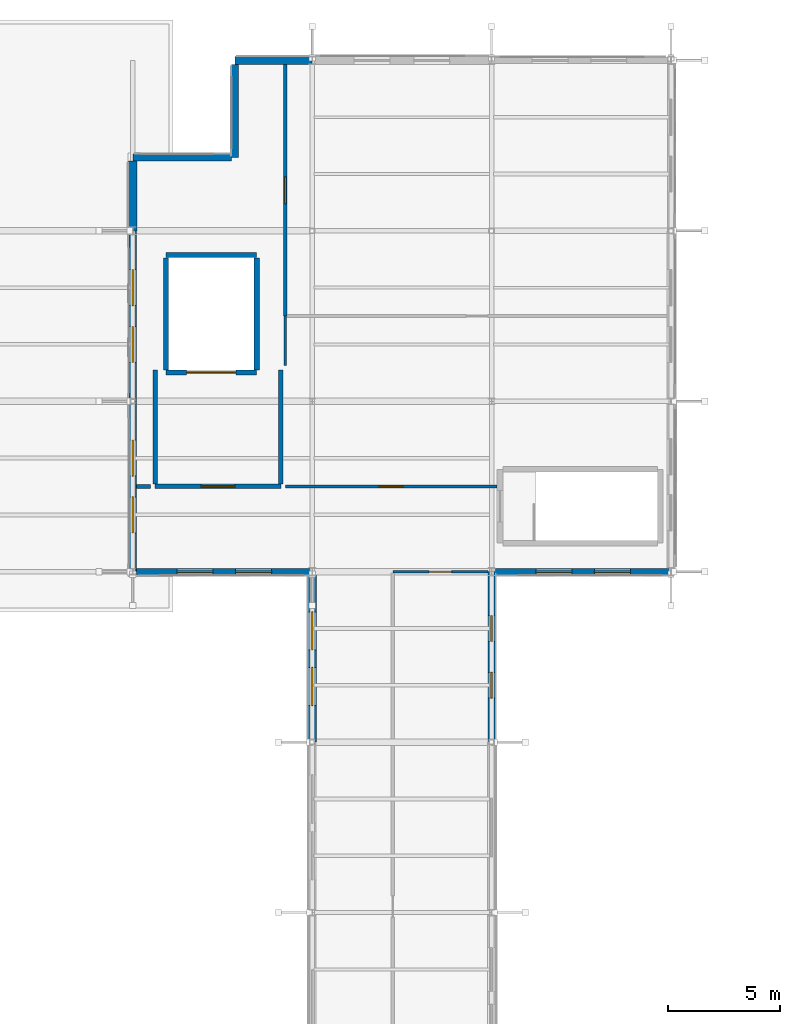
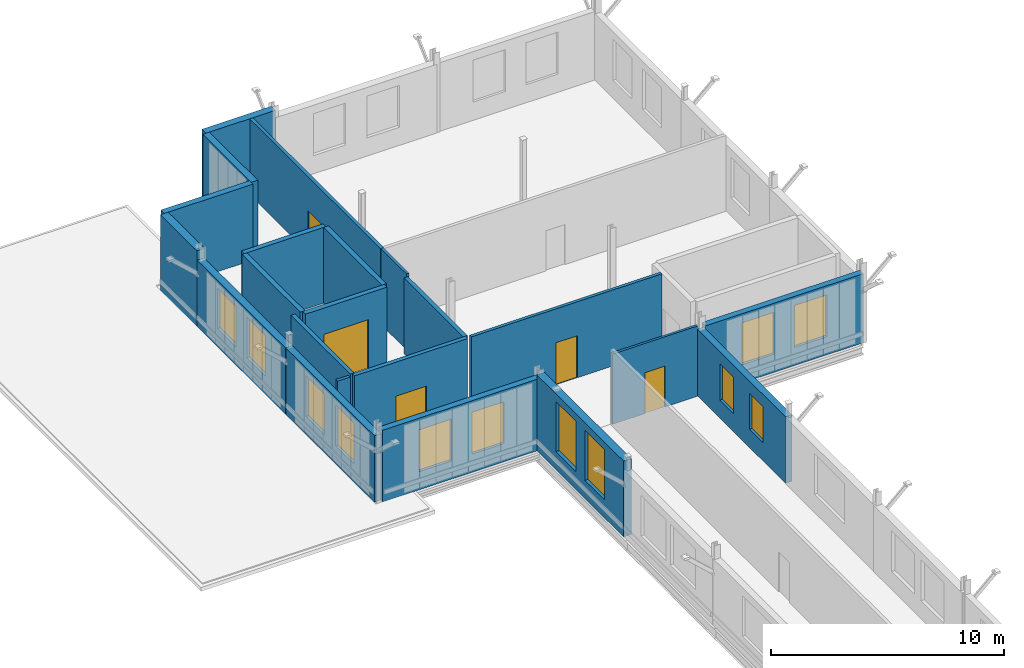
# One storey, part 84 of 101: 22 walls, 12 windows, 5 doors, 17 openings.
"""IFC4 building model written with IfcOpenShell, lengths in metres."""

from ifc_helpers import new_model, si_unit, direction, frame, frame_2d, origin, place, context, subcontext, project, spatial, rectangle, extrude, material, layer, layer_set, type_object, element, fill, save


model = new_model("IFC4")

# Units and contexts
model_context = context("Model", 3, precision=1e-05, world=origin(), true_north=direction((0.0, 1.0)))
body_context = subcontext(model_context, "Body", "Model", "MODEL_VIEW")
ifc_project = project(units=[si_unit("LENGTHUNIT", "METRE"), si_unit("AREAUNIT", "SQUARE_METRE"), si_unit("VOLUMEUNIT", "CUBIC_METRE"), si_unit("PLANEANGLEUNIT", "RADIAN"), si_unit("MASSUNIT", "GRAM", prefix="KILO")], contexts=[model_context])

# Site, building, storey
site_placement = place(None, origin())
site = spatial("IfcSite", under=ifc_project, at=site_placement, CompositionType="ELEMENT")
building_placement = place(site_placement, origin())
building = spatial("IfcBuilding", under=site, at=building_placement, Name="Vekula Escarpment Museum", CompositionType="ELEMENT")
storey_placement = place(building_placement, frame((0.0, 0.0, 18.0)))
storey = spatial("IfcBuildingStorey", under=building, at=storey_placement, Name="L04", CompositionType="ELEMENT", Elevation=18.0)

# Wall, openings, windows
ifc_material_1 = material(Name="Inkisi arkosic sandstone masonry", Category="masonry")
ifc_layer_1 = layer(ifc_material_1, 0.300048828125)
ifc_layer_set_1 = layer_set([ifc_layer_1], Name="Inkisi arkosic sandstone masonry")
wall_type_1 = type_object("IfcWallType", Name="WL-ALM-300", PredefinedType="SOLIDWALL", material=ifc_layer_set_1)
wall_1_placement = place(storey_placement, frame((56.0, 113.199951171875, 0.0), z_axis=(0.0, 0.0, 1.0), x_axis=(-1.0, 0.0, 0.0)))
wall_1 = element("IfcWall", 1, at=wall_1_placement, inside=storey, type_object=wall_type_1, Name="Exterior Wall WL-EXT-L04-0783", PredefinedType="SOLIDWALL", context=body_context, shape_type="SweptSolid", body=[
    extrude(rectangle(XDim=7.8359375, YDim=0.300048828125, at=frame_2d((3.91796875, 0.0))), origin(), (0.0, 0.0, 1.0), 3.625),
])
opening_1_placement = place(wall_1_placement, frame((1.81201171875, 0.0, 0.949951171875)))
opening_1 = element("IfcOpeningElement", 2, at=opening_1_placement, cuts=wall_1, Name="Opening WN-10", PredefinedType="OPENING", context=body_context, shape_type="SweptSolid", body=[
    extrude(rectangle(XDim=1.60009765625, YDim=2.199951171875, at=frame_2d((0.800048828125, 1.10009765625))), frame((0.0, 0.159912109375, 0.0), z_axis=(0.0, -1.0, 0.0), x_axis=(1.0, 0.0, 0.0)), (0.0, 0.0, 1.0), 0.320068359375),
])
opening_2_placement = place(wall_1_placement, frame((4.424072265625, 0.0, 0.949951171875)))
opening_2 = element("IfcOpeningElement", 3, at=opening_2_placement, cuts=wall_1, Name="Opening WN-10", PredefinedType="OPENING", context=body_context, shape_type="SweptSolid", body=[
    extrude(rectangle(XDim=1.60009765625, YDim=2.199951171875, at=frame_2d((0.800048828125, 1.10009765625))), frame((0.0, 0.159912109375, 0.0), z_axis=(0.0, -1.0, 0.0), x_axis=(1.0, 0.0, 0.0)), (0.0, 0.0, 1.0), 0.320068359375),
])
ifc_material_2 = material(Name="Double solar-control low-E glass", Category="glass")
window_type_1 = type_object("IfcWindowType", Name="WN-LAB-16x22", PartitioningType="DOUBLE_PANEL_HORIZONTAL", PredefinedType="WINDOW", material=ifc_material_2)
window_1_placement = place(opening_1_placement, origin())
window_1 = element("IfcWindow", 4, at=window_1_placement, inside=storey, type_object=window_type_1, Name="Window L04-0413", OverallHeight=2.199951171875, OverallWidth=1.60009765625, PartitioningType="SINGLE_PANEL", PredefinedType="WINDOW", context=body_context, shape_type="SweptSolid", body=[
    extrude(rectangle(XDim=1.60009765625, YDim=2.199951171875, at=frame_2d((0.800048828125, 1.10009765625))), frame((0.0, 0.030029296875, 0.0), z_axis=(0.0, -1.0, 0.0), x_axis=(1.0, 0.0, 0.0)), (0.0, 0.0, 1.0), 0.06005859375),
])
fill(opening_1, window_1)
window_2_placement = place(opening_2_placement, origin())
window_2 = element("IfcWindow", 5, at=window_2_placement, inside=storey, type_object=window_type_1, Name="Window L04-0414", OverallHeight=2.199951171875, OverallWidth=1.60009765625, PartitioningType="SINGLE_PANEL", PredefinedType="WINDOW", context=body_context, shape_type="SweptSolid", body=[
    extrude(rectangle(XDim=1.60009765625, YDim=2.199951171875, at=frame_2d((0.800048828125, 1.10009765625))), frame((0.0, 0.030029296875, 0.0), z_axis=(0.0, -1.0, 0.0), x_axis=(1.0, 0.0, 0.0)), (0.0, 0.0, 1.0), 0.06005859375),
])
fill(opening_2, window_2)

# Wall
wall_2_placement = place(storey_placement, frame((32.0, 131.66796875, 0.0), z_axis=(0.0, 0.0, 1.0), x_axis=(1.0, 0.0, 0.0)))
element("IfcWall", 6, at=wall_2_placement, inside=storey, type_object=wall_type_1, Name="Exterior Wall WL-EXT-L04-0791", PredefinedType="SOLIDWALL", context=body_context, shape_type="SweptSolid", body=[
    extrude(rectangle(XDim=4.39599609375, YDim=0.300048828125, at=frame_2d((2.197998046875, 0.0))), origin(), (0.0, 0.0, 1.0), 3.97998046875),
])

# Wall, openings, windows
wall_3_placement = place(storey_placement, frame((40.0, 113.199951171875, 0.0), z_axis=(0.0, 0.0, 1.0), x_axis=(-1.0, 0.0, 0.0)))
wall_3 = element("IfcWall", 7, at=wall_3_placement, inside=storey, type_object=wall_type_1, Name="Exterior Wall WL-EXT-L04-0795", PredefinedType="SOLIDWALL", context=body_context, shape_type="SweptSolid", body=[
    extrude(rectangle(XDim=7.8359375, YDim=0.300048828125, at=frame_2d((3.91796875, 0.0))), origin(), (0.0, 0.0, 1.0), 3.7548828125),
])
opening_3_placement = place(wall_3_placement, frame((1.81201171875, 0.0, 0.949951171875)))
opening_3 = element("IfcOpeningElement", 8, at=opening_3_placement, cuts=wall_3, Name="Opening WN-10", PredefinedType="OPENING", context=body_context, shape_type="SweptSolid", body=[
    extrude(rectangle(XDim=1.60009765625, YDim=2.199951171875, at=frame_2d((0.800048828125, 1.10009765625))), frame((0.0, 0.159912109375, 0.0), z_axis=(0.0, -1.0, 0.0), x_axis=(1.0, 0.0, 0.0)), (0.0, 0.0, 1.0), 0.320068359375),
])
opening_4_placement = place(wall_3_placement, frame((4.424072265625, 0.0, 0.949951171875)))
opening_4 = element("IfcOpeningElement", 9, at=opening_4_placement, cuts=wall_3, Name="Opening WN-10", PredefinedType="OPENING", context=body_context, shape_type="SweptSolid", body=[
    extrude(rectangle(XDim=1.60009765625, YDim=2.199951171875, at=frame_2d((0.800048828125, 1.10009765625))), frame((0.0, 0.159912109375, 0.0), z_axis=(0.0, -1.0, 0.0), x_axis=(1.0, 0.0, 0.0)), (0.0, 0.0, 1.0), 0.320068359375),
])
window_3_placement = place(opening_3_placement, origin())
window_3 = element("IfcWindow", 10, at=window_3_placement, inside=storey, type_object=window_type_1, Name="Window L04-0429", OverallHeight=2.199951171875, OverallWidth=1.60009765625, PartitioningType="SINGLE_PANEL", PredefinedType="WINDOW", context=body_context, shape_type="SweptSolid", body=[
    extrude(rectangle(XDim=1.60009765625, YDim=2.199951171875, at=frame_2d((0.800048828125, 1.10009765625))), frame((0.0, 0.030029296875, 0.0), z_axis=(0.0, -1.0, 0.0), x_axis=(1.0, 0.0, 0.0)), (0.0, 0.0, 1.0), 0.06005859375),
])
fill(opening_3, window_3)
window_4_placement = place(opening_4_placement, origin())
window_4 = element("IfcWindow", 11, at=window_4_placement, inside=storey, type_object=window_type_1, Name="Window L04-0430", OverallHeight=2.199951171875, OverallWidth=1.60009765625, PartitioningType="SINGLE_PANEL", PredefinedType="WINDOW", context=body_context, shape_type="SweptSolid", body=[
    extrude(rectangle(XDim=1.60009765625, YDim=2.199951171875, at=frame_2d((0.800048828125, 1.10009765625))), frame((0.0, 0.030029296875, 0.0), z_axis=(0.0, -1.0, 0.0), x_axis=(1.0, 0.0, 0.0)), (0.0, 0.0, 1.0), 0.06005859375),
])
fill(opening_4, window_4)

ifc_material_3 = material(Name="Inkisi arkosic sandstone masonry", Category="masonry")
ifc_layer_2 = layer(ifc_material_3, 0.320068359375)
ifc_layer_set_2 = layer_set([ifc_layer_2], Name="Inkisi arkosic sandstone masonry")
wall_type_2 = type_object("IfcWallType", Name="WL-ALM-320", PredefinedType="SOLIDWALL", material=ifc_layer_set_2)
wall_4_placement = place(storey_placement, frame((48.0, 113.199951171875, 0.0), z_axis=(0.0, 0.0, 1.0), x_axis=(0.0, -1.0, 0.0)))
wall_4 = element("IfcWall", 12, at=wall_4_placement, inside=storey, type_object=wall_type_2, Name="Exterior Wall WL-EXT-L04-0782", PredefinedType="SOLIDWALL", context=body_context, shape_type="SweptSolid", body=[
    extrude(rectangle(XDim=7.599853515625, YDim=0.320068359375, at=frame_2d((3.7998046875, 0.0))), origin(), (0.0, 0.0, 1.0), 3.485107421875),
])
opening_5_placement = place(wall_4_placement, frame((1.958251953125, 0.0, 0.949951171875)))
opening_5 = element("IfcOpeningElement", 13, at=opening_5_placement, cuts=wall_4, Name="Opening WN-29", PredefinedType="OPENING", context=body_context, shape_type="SweptSolid", body=[
    extrude(rectangle(XDim=1.14990234375, YDim=1.89990234375, at=frame_2d((0.574951171875, 0.949951171875))), frame((0.0, 0.169921875, 0.0), z_axis=(0.0, -1.0, 0.0), x_axis=(1.0, 0.0, 0.0)), (0.0, 0.0, 1.0), 0.340087890625),
])
opening_6_placement = place(wall_4_placement, frame((4.49169921875, 0.0, 0.949951171875)))
opening_6 = element("IfcOpeningElement", 14, at=opening_6_placement, cuts=wall_4, Name="Opening WN-29", PredefinedType="OPENING", context=body_context, shape_type="SweptSolid", body=[
    extrude(rectangle(XDim=1.14990234375, YDim=1.89990234375, at=frame_2d((0.574951171875, 0.949951171875))), frame((0.0, 0.169921875, 0.0), z_axis=(0.0, -1.0, 0.0), x_axis=(1.0, 0.0, 0.0)), (0.0, 0.0, 1.0), 0.340087890625),
])
ifc_material_4 = material(Name="Double solar-control low-E glass", Category="glass")
window_type_2 = type_object("IfcWindowType", Name="WN-GAL-11x19", PartitioningType="SINGLE_PANEL", PredefinedType="WINDOW", material=ifc_material_4)
window_5_placement = place(opening_5_placement, origin())
window_5 = element("IfcWindow", 15, at=window_5_placement, inside=storey, type_object=window_type_2, Name="Window L04-0411", OverallHeight=1.89990234375, OverallWidth=1.14990234375, PartitioningType="SINGLE_PANEL", PredefinedType="WINDOW", context=body_context, shape_type="SweptSolid", body=[
    extrude(rectangle(XDim=1.14990234375, YDim=1.89990234375, at=frame_2d((0.574951171875, 0.949951171875))), frame((0.0, 0.030029296875, 0.0), z_axis=(0.0, -1.0, 0.0), x_axis=(1.0, 0.0, 0.0)), (0.0, 0.0, 1.0), 0.06005859375),
])
fill(opening_5, window_5)
window_6_placement = place(opening_6_placement, origin())
window_6 = element("IfcWindow", 16, at=window_6_placement, inside=storey, type_object=window_type_2, Name="Window L04-0412", OverallHeight=1.89990234375, OverallWidth=1.14990234375, PartitioningType="SINGLE_PANEL", PredefinedType="WINDOW", context=body_context, shape_type="SweptSolid", body=[
    extrude(rectangle(XDim=1.14990234375, YDim=1.89990234375, at=frame_2d((0.574951171875, 0.949951171875))), frame((0.0, 0.030029296875, 0.0), z_axis=(0.0, -1.0, 0.0), x_axis=(1.0, 0.0, 0.0)), (0.0, 0.0, 1.0), 0.06005859375),
])
fill(opening_6, window_6)

# Wall
wall_5_placement = place(storey_placement, frame((36.56005859375, 131.66796875, 0.0), z_axis=(0.0, 0.0, 1.0), x_axis=(0.0, 1.0, 0.0)))
element("IfcWall", 17, at=wall_5_placement, inside=storey, type_object=wall_type_2, Name="Exterior Wall WL-EXT-L04-0790", PredefinedType="SOLIDWALL", context=body_context, shape_type="SweptSolid", body=[
    extrude(rectangle(XDim=4.153076171875, YDim=0.320068359375, at=frame_2d((2.07666015625, 0.0))), origin(), (0.0, 0.0, 1.0), 3.97998046875),
])

# Wall, openings, windows
wall_6_placement = place(storey_placement, frame((32.0, 113.199951171875, 0.0), z_axis=(0.0, 0.0, 1.0), x_axis=(0.0, 1.0, 0.0)))
wall_6 = element("IfcWall", 18, at=wall_6_placement, inside=storey, type_object=wall_type_2, Name="Exterior Wall WL-EXT-L04-0794", PredefinedType="SOLIDWALL", context=body_context, shape_type="SweptSolid", body=[
    extrude(rectangle(XDim=7.60009765625, YDim=0.320068359375, at=frame_2d((3.800048828125, 0.0))), origin(), (0.0, 0.0, 1.0), 3.485107421875),
])
opening_7_placement = place(wall_6_placement, frame((1.7333984375, 0.0, 0.949951171875)))
opening_7 = element("IfcOpeningElement", 19, at=opening_7_placement, cuts=wall_6, Name="Opening WN-10", PredefinedType="OPENING", context=body_context, shape_type="SweptSolid", body=[
    extrude(rectangle(XDim=1.60009765625, YDim=2.1298828125, at=frame_2d((0.800048828125, 1.06494140625))), frame((0.0, 0.169921875, 0.0), z_axis=(0.0, -1.0, 0.0), x_axis=(1.0, 0.0, 0.0)), (0.0, 0.0, 1.0), 0.340087890625),
])
opening_8_placement = place(wall_6_placement, frame((4.2666015625, 0.0, 0.949951171875)))
opening_8 = element("IfcOpeningElement", 20, at=opening_8_placement, cuts=wall_6, Name="Opening WN-10", PredefinedType="OPENING", context=body_context, shape_type="SweptSolid", body=[
    extrude(rectangle(XDim=1.60009765625, YDim=2.1298828125, at=frame_2d((0.800048828125, 1.06494140625))), frame((0.0, 0.169921875, 0.0), z_axis=(0.0, -1.0, 0.0), x_axis=(1.0, 0.0, 0.0)), (0.0, 0.0, 1.0), 0.340087890625),
])
window_7_placement = place(opening_7_placement, origin())
window_7 = element("IfcWindow", 21, at=window_7_placement, inside=storey, type_object=window_type_1, Name="Window L04-0427", OverallHeight=2.1298828125, OverallWidth=1.60009765625, PartitioningType="SINGLE_PANEL", PredefinedType="WINDOW", context=body_context, shape_type="SweptSolid", body=[
    extrude(rectangle(XDim=1.60009765625, YDim=2.1298828125, at=frame_2d((0.800048828125, 1.06494140625))), frame((0.0, 0.030029296875, 0.0), z_axis=(0.0, -1.0, 0.0), x_axis=(1.0, 0.0, 0.0)), (0.0, 0.0, 1.0), 0.06005859375),
])
fill(opening_7, window_7)
window_8_placement = place(opening_8_placement, origin())
window_8 = element("IfcWindow", 22, at=window_8_placement, inside=storey, type_object=window_type_1, Name="Window L04-0428", OverallHeight=2.1298828125, OverallWidth=1.60009765625, PartitioningType="SINGLE_PANEL", PredefinedType="WINDOW", context=body_context, shape_type="SweptSolid", body=[
    extrude(rectangle(XDim=1.60009765625, YDim=2.1298828125, at=frame_2d((0.800048828125, 1.06494140625))), frame((0.0, 0.030029296875, 0.0), z_axis=(0.0, -1.0, 0.0), x_axis=(1.0, 0.0, 0.0)), (0.0, 0.0, 1.0), 0.06005859375),
])
fill(opening_8, window_8)

# Wall
ifc_material_5 = material(Name="Inkisi arkosic sandstone masonry", Category="masonry")
ifc_layer_3 = layer(ifc_material_5, 0.35009765625)
ifc_layer_set_3 = layer_set([ifc_layer_3], Name="Inkisi arkosic sandstone masonry")
wall_type_3 = type_object("IfcWallType", Name="WL-ALM-350", PredefinedType="SOLIDWALL", material=ifc_layer_set_3)
wall_7_placement = place(storey_placement, frame((36.56005859375, 136.0, 0.0), z_axis=(0.0, 0.0, 1.0), x_axis=(1.0, 0.0, 0.0)))
element("IfcWall", 23, at=wall_7_placement, inside=storey, type_object=wall_type_3, Name="Exterior Wall WL-EXT-L04-0789", PredefinedType="SOLIDWALL", context=body_context, shape_type="SweptSolid", body=[
    extrude(rectangle(XDim=3.43994140625, YDim=0.35009765625, at=frame_2d((1.719970703125, 0.0))), origin(), (0.0, 0.0, 1.0), 3.97998046875),
])

# Wall, openings, windows
wall_8_placement = place(storey_placement, frame((32.0, 120.800048828125, 0.0), z_axis=(0.0, 0.0, 1.0), x_axis=(0.0, 1.0, 0.0)))
wall_8 = element("IfcWall", 24, at=wall_8_placement, inside=storey, type_object=wall_type_3, Name="Exterior Wall WL-EXT-L04-0793", PredefinedType="SOLIDWALL", context=body_context, shape_type="SweptSolid", body=[
    extrude(rectangle(XDim=7.599853515625, YDim=0.35009765625, at=frame_2d((3.7998046875, 0.0))), origin(), (0.0, 0.0, 1.0), 3.485107421875),
])
opening_9_placement = place(wall_8_placement, frame((1.7333984375, 0.0, 0.949951171875)))
opening_9 = element("IfcOpeningElement", 25, at=opening_9_placement, cuts=wall_8, Name="Opening WN-10", PredefinedType="OPENING", context=body_context, shape_type="SweptSolid", body=[
    extrude(rectangle(XDim=1.60009765625, YDim=2.1298828125, at=frame_2d((0.800048828125, 1.06494140625))), frame((0.0, 0.18505859375, 0.0), z_axis=(0.0, -1.0, 0.0), x_axis=(1.0, 0.0, 0.0)), (0.0, 0.0, 1.0), 0.3701171875),
])
opening_10_placement = place(wall_8_placement, frame((4.2666015625, 0.0, 0.949951171875)))
opening_10 = element("IfcOpeningElement", 26, at=opening_10_placement, cuts=wall_8, Name="Opening WN-10", PredefinedType="OPENING", context=body_context, shape_type="SweptSolid", body=[
    extrude(rectangle(XDim=1.60009765625, YDim=2.1298828125, at=frame_2d((0.800048828125, 1.06494140625))), frame((0.0, 0.18505859375, 0.0), z_axis=(0.0, -1.0, 0.0), x_axis=(1.0, 0.0, 0.0)), (0.0, 0.0, 1.0), 0.3701171875),
])
window_9_placement = place(opening_9_placement, origin())
window_9 = element("IfcWindow", 27, at=window_9_placement, inside=storey, type_object=window_type_1, Name="Window L04-0425", OverallHeight=2.1298828125, OverallWidth=1.60009765625, PartitioningType="SINGLE_PANEL", PredefinedType="WINDOW", context=body_context, shape_type="SweptSolid", body=[
    extrude(rectangle(XDim=1.60009765625, YDim=2.1298828125, at=frame_2d((0.800048828125, 1.06494140625))), frame((0.0, 0.030029296875, 0.0), z_axis=(0.0, -1.0, 0.0), x_axis=(1.0, 0.0, 0.0)), (0.0, 0.0, 1.0), 0.06005859375),
])
fill(opening_9, window_9)
window_10_placement = place(opening_10_placement, origin())
window_10 = element("IfcWindow", 28, at=window_10_placement, inside=storey, type_object=window_type_1, Name="Window L04-0426", OverallHeight=2.1298828125, OverallWidth=1.60009765625, PartitioningType="SINGLE_PANEL", PredefinedType="WINDOW", context=body_context, shape_type="SweptSolid", body=[
    extrude(rectangle(XDim=1.60009765625, YDim=2.1298828125, at=frame_2d((0.800048828125, 1.06494140625))), frame((0.0, 0.030029296875, 0.0), z_axis=(0.0, -1.0, 0.0), x_axis=(1.0, 0.0, 0.0)), (0.0, 0.0, 1.0), 0.06005859375),
])
fill(opening_10, window_10)

# Wall
ifc_material_6 = material(Name="Inkisi arkosic sandstone masonry", Category="masonry")
ifc_layer_4 = layer(ifc_material_6, 0.3798828125)
ifc_layer_set_4 = layer_set([ifc_layer_4], Name="Inkisi arkosic sandstone masonry")
wall_type_4 = type_object("IfcWallType", Name="WL-ALM-380", PredefinedType="SOLIDWALL", material=ifc_layer_set_4)
wall_9_placement = place(storey_placement, frame((32.0, 128.39990234375, 0.0), z_axis=(0.0, 0.0, 1.0), x_axis=(0.0, 1.0, 0.0)))
element("IfcWall", 29, at=wall_9_placement, inside=storey, type_object=wall_type_4, Name="Exterior Wall WL-EXT-L04-0792", PredefinedType="SOLIDWALL", context=body_context, shape_type="SweptSolid", body=[
    extrude(rectangle(XDim=3.114013671875, YDim=0.3798828125, at=frame_2d((1.55712890625, 0.0))), origin(), (0.0, 0.0, 1.0), 3.97998046875),
])

# Wall, openings, windows
wall_10_placement = place(storey_placement, frame((40.0, 105.60009765625, 0.0), z_axis=(0.0, 0.0, 1.0), x_axis=(0.0, 1.0, 0.0)))
wall_10 = element("IfcWall", 30, at=wall_10_placement, inside=storey, type_object=wall_type_4, Name="Exterior Wall WL-EXT-L04-0796", PredefinedType="SOLIDWALL", context=body_context, shape_type="SweptSolid", body=[
    extrude(rectangle(XDim=7.44580078125, YDim=0.3798828125, at=frame_2d((3.722900390625, 0.0))), origin(), (0.0, 0.0, 1.0), 3.97998046875),
])
opening_11_placement = place(wall_10_placement, frame((1.632080078125, 0.0, 0.949951171875)))
opening_11 = element("IfcOpeningElement", 31, at=opening_11_placement, cuts=wall_10, Name="Opening WN-19", PredefinedType="OPENING", context=body_context, shape_type="SweptSolid", body=[
    extrude(rectangle(XDim=1.699951171875, YDim=2.6298828125, at=frame_2d((0.85009765625, 1.31494140625))), frame((0.0, 0.199951171875, 0.0), z_axis=(0.0, -1.0, 0.0), x_axis=(1.0, 0.0, 0.0)), (0.0, 0.0, 1.0), 0.39990234375),
])
opening_12_placement = place(wall_10_placement, frame((4.114013671875, 0.0, 0.949951171875)))
opening_12 = element("IfcOpeningElement", 32, at=opening_12_placement, cuts=wall_10, Name="Opening WN-19", PredefinedType="OPENING", context=body_context, shape_type="SweptSolid", body=[
    extrude(rectangle(XDim=1.699951171875, YDim=2.6298828125, at=frame_2d((0.85009765625, 1.31494140625))), frame((0.0, 0.199951171875, 0.0), z_axis=(0.0, -1.0, 0.0), x_axis=(1.0, 0.0, 0.0)), (0.0, 0.0, 1.0), 0.39990234375),
])
ifc_material_7 = material(Name="Double solar-control low-E glass", Category="glass")
window_type_3 = type_object("IfcWindowType", Name="WN-GAL-17x27", PartitioningType="DOUBLE_PANEL_VERTICAL", PredefinedType="WINDOW", material=ifc_material_7)
window_11_placement = place(opening_11_placement, origin())
window_11 = element("IfcWindow", 33, at=window_11_placement, inside=storey, type_object=window_type_3, Name="Window L04-0431", OverallHeight=2.6298828125, OverallWidth=1.699951171875, PartitioningType="SINGLE_PANEL", PredefinedType="WINDOW", context=body_context, shape_type="SweptSolid", body=[
    extrude(rectangle(XDim=1.699951171875, YDim=2.6298828125, at=frame_2d((0.85009765625, 1.31494140625))), frame((0.0, 0.030029296875, 0.0), z_axis=(0.0, -1.0, 0.0), x_axis=(1.0, 0.0, 0.0)), (0.0, 0.0, 1.0), 0.06005859375),
])
fill(opening_11, window_11)
window_12_placement = place(opening_12_placement, origin())
window_12 = element("IfcWindow", 34, at=window_12_placement, inside=storey, type_object=window_type_3, Name="Window L04-0432", OverallHeight=2.6298828125, OverallWidth=1.699951171875, PartitioningType="SINGLE_PANEL", PredefinedType="WINDOW", context=body_context, shape_type="SweptSolid", body=[
    extrude(rectangle(XDim=1.699951171875, YDim=2.6298828125, at=frame_2d((0.85009765625, 1.31494140625))), frame((0.0, 0.030029296875, 0.0), z_axis=(0.0, -1.0, 0.0), x_axis=(1.0, 0.0, 0.0)), (0.0, 0.0, 1.0), 0.06005859375),
])
fill(opening_12, window_12)

# Wall, opening, door
ifc_material_8 = material(Name="Concrete C35/45", Category="concrete")
ifc_layer_5 = layer(ifc_material_8, 0.199951171875)
ifc_layer_set_5 = layer_set([ifc_layer_5], Name="Concrete C35/45")
wall_type_5 = type_object("IfcWallType", Name="WL-FFL-200", PredefinedType="PARTITIONING", material=ifc_layer_set_5)
wall_11_placement = place(storey_placement, frame((33.0, 117.0, 0.0), z_axis=(0.0, 0.0, 1.0), x_axis=(1.0, 0.0, 0.0)))
wall_11 = element("IfcWall", 35, at=wall_11_placement, inside=storey, type_object=wall_type_5, Name="Lift Lobby Wall GL-01 L04 S", PredefinedType="PARTITIONING", context=body_context, shape_type="SweptSolid", body=[
    extrude(rectangle(XDim=5.60009765625, YDim=0.199951171875, at=frame_2d((2.800048828125, 0.0))), origin(), (0.0, 0.0, 1.0), 3.97998046875),
])
opening_13_placement = place(wall_11_placement, frame((2.050048828125, 0.0, 0.0)))
opening_13 = element("IfcOpeningElement", 36, at=opening_13_placement, cuts=wall_11, Name="Opening DR-FD60L", PredefinedType="OPENING", context=body_context, shape_type="SweptSolid", body=[
    extrude(rectangle(XDim=1.5, YDim=2.199951171875, at=frame_2d((0.75, 1.10009765625))), frame((0.0, 0.10986328125, 0.0), z_axis=(0.0, -1.0, 0.0), x_axis=(1.0, 0.0, 0.0)), (0.0, 0.0, 1.0), 0.219970703125),
])
ifc_material_9 = material(Name="Fire-rated glazed lobby door", Category="steel")
door_type_1 = type_object("IfcDoorType", Name="DR-FFLOB-1500x2200", OperationType="NOTDEFINED", PredefinedType="DOOR", material=ifc_material_9)
door_1_placement = place(opening_13_placement, origin())
door_1 = element("IfcDoor", 37, at=door_1_placement, inside=storey, type_object=door_type_1, Name="Lift Lobby Fire Door GL-01 L04", OperationType="SINGLE_SWING_RIGHT", OverallHeight=2.199951171875, OverallWidth=1.5, PredefinedType="DOOR", context=body_context, shape_type="SweptSolid", body=[
    extrude(rectangle(XDim=1.5, YDim=2.199951171875, at=frame_2d((0.75, 1.10009765625))), frame((0.0, 0.02490234375, 0.0), z_axis=(0.0, -1.0, 0.0), x_axis=(1.0, 0.0, 0.0)), (0.0, 0.0, 1.0), 0.050048828125),
])
fill(opening_13, door_1)

# Walls
for number, where, z_axis, x_axis, name in (
    (38, (33.0, 117.10400390625, 0.0), (0.0, 0.0, 1.0), (0.0, 1.0, 0.0), "Lift Lobby Wall GL-01 L04 W"),
    (39, (38.60009765625, 117.10400390625, 0.0), (0.0, 0.0, 1.0), (0.0, 1.0, 0.0), "Lift Lobby Wall GL-01 L04 E"),
):
    element("IfcWall", number, at=place(storey_placement, frame(where, z_axis=z_axis, x_axis=x_axis)), inside=storey, type_object=wall_type_5, Name=name, PredefinedType="PARTITIONING", context=body_context, shape_type="SweptSolid", body=[
        extrude(rectangle(XDim=5.095947265625, YDim=0.199951171875, at=frame_2d((2.5478515625, 0.0))), origin(), (0.0, 0.0, 1.0), 3.97998046875),
    ])
ifc_material_10 = material(Name="Lightweight studio partition", Category="gypsum")
ifc_layer_6 = layer(ifc_material_10, 0.1201171875)
ifc_layer_set_6 = layer_set([ifc_layer_6], Name="Lightweight studio partition")
wall_type_6 = type_object("IfcWallType", Name="WL-PART-120", PredefinedType="PARTITIONING", material=ifc_layer_set_6)
wall_12_placement = place(storey_placement, frame((38.800048828125, 122.39990234375, 0.0), z_axis=(0.0, 0.0, 1.0), x_axis=(0.0, 1.0, 0.0)))
element("IfcWall", 40, at=wall_12_placement, inside=storey, type_object=wall_type_6, Name="Interior Partition WL-INT-L04-0003", PredefinedType="PARTITIONING", context=body_context, shape_type="SweptSolid", body=[
    extrude(rectangle(XDim=2.2001953125, YDim=0.1201171875, at=frame_2d((1.10009765625, 0.0))), origin(), (0.0, 0.0, 1.0), 3.97998046875),
])

# Wall, opening, door
wall_13_placement = place(storey_placement, frame((43.60009765625, 113.199951171875, 0.0), z_axis=(0.0, 0.0, 1.0), x_axis=(1.0, 0.0, 0.0)))
wall_13 = element("IfcWall", 41, at=wall_13_placement, inside=storey, type_object=wall_type_6, Name="Interior Partition WL-INT-L04-0006", PredefinedType="PARTITIONING", context=body_context, shape_type="SweptSolid", body=[
    extrude(rectangle(XDim=4.23583984375, YDim=0.1201171875, at=frame_2d((2.117919921875, 0.0))), origin(), (0.0, 0.0, 1.0), 3.68505859375),
])
opening_14_placement = place(wall_13_placement, frame((1.617919921875, 0.0, 0.0)))
opening_14 = element("IfcOpeningElement", 42, at=opening_14_placement, cuts=wall_13, Name="Opening DR-OF10", PredefinedType="OPENING", context=body_context, shape_type="SweptSolid", body=[
    extrude(rectangle(XDim=1.0, YDim=2.14990234375, at=frame_2d((0.5, 1.074951171875))), frame((0.0, 0.070068359375, 0.0), z_axis=(0.0, -1.0, 0.0), x_axis=(1.0, 0.0, 0.0)), (0.0, 0.0, 1.0), 0.14013671875),
])
ifc_material_11 = material(Name="Solid core timber study door", Category="wood")
door_type_2 = type_object("IfcDoorType", Name="DR-OFF-1000x2150", OperationType="NOTDEFINED", PredefinedType="DOOR", material=ifc_material_11)
door_2_placement = place(opening_14_placement, origin())
door_2 = element("IfcDoor", 43, at=door_2_placement, inside=storey, type_object=door_type_2, Name="Interior Door L04-004", OperationType="SINGLE_SWING_RIGHT", OverallHeight=2.14990234375, OverallWidth=1.0, PredefinedType="DOOR", context=body_context, shape_type="SweptSolid", body=[
    extrude(rectangle(XDim=1.0, YDim=2.14990234375, at=frame_2d((0.5, 1.074951171875))), frame((0.0, 0.02490234375, 0.0), z_axis=(0.0, -1.0, 0.0), x_axis=(1.0, 0.0, 0.0)), (0.0, 0.0, 1.0), 0.050048828125),
])
fill(opening_14, door_2)

ifc_material_12 = material(Name="Gypsum board dry-lined partition", Category="gypsum")
ifc_layer_7 = layer(ifc_material_12, 0.14990234375)
ifc_layer_set_7 = layer_set([ifc_layer_7], Name="Gypsum board dry-lined partition")
wall_type_7 = type_object("IfcWallType", Name="WL-PART-150", PredefinedType="PARTITIONING", material=ifc_layer_set_7)
wall_14_placement = place(storey_placement, frame((38.800048828125, 117.0, 0.0), z_axis=(0.0, 0.0, 1.0), x_axis=(1.0, 0.0, 0.0)))
wall_14 = element("IfcWall", 44, at=wall_14_placement, inside=storey, type_object=wall_type_7, Name="Interior Partition WL-INT-L04-0005", PredefinedType="PARTITIONING", context=body_context, shape_type="SweptSolid", body=[
    extrude(rectangle(XDim=9.446044921875, YDim=0.14990234375, at=frame_2d((4.72314453125, 0.0))), origin(), (0.0, 0.0, 1.0), 3.97998046875),
])
opening_15_placement = place(wall_14_placement, frame((4.197998046875, 0.0, 0.0)))
opening_15 = element("IfcOpeningElement", 45, at=opening_15_placement, cuts=wall_14, Name="Opening DR-CR10", PredefinedType="OPENING", context=body_context, shape_type="SweptSolid", body=[
    extrude(rectangle(XDim=1.050048828125, YDim=2.199951171875, at=frame_2d((0.52490234375, 1.10009765625))), frame((0.0, 0.0849609375, 0.0), z_axis=(0.0, -1.0, 0.0), x_axis=(1.0, 0.0, 0.0)), (0.0, 0.0, 1.0), 0.169921875),
])
ifc_material_13 = material(Name="Solid hardwood curatorial door", Category="wood")
door_type_3 = type_object("IfcDoorType", Name="DR-CUR-1050x2200", OperationType="NOTDEFINED", PredefinedType="DOOR", material=ifc_material_13)
door_3_placement = place(opening_15_placement, origin())
door_3 = element("IfcDoor", 46, at=door_3_placement, inside=storey, type_object=door_type_3, Name="Interior Door L04-003", OperationType="SINGLE_SWING_LEFT", OverallHeight=2.199951171875, OverallWidth=1.050048828125, PredefinedType="DOOR", context=body_context, shape_type="SweptSolid", body=[
    extrude(rectangle(XDim=1.050048828125, YDim=2.199951171875, at=frame_2d((0.52490234375, 1.10009765625))), frame((0.0, 0.02490234375, 0.0), z_axis=(0.0, -1.0, 0.0), x_axis=(1.0, 0.0, 0.0)), (0.0, 0.0, 1.0), 0.050048828125),
])
fill(opening_15, door_3)

ifc_material_14 = material(Name="Gypsum board gallery partition", Category="gypsum")
ifc_layer_8 = layer(ifc_material_14, 0.159912109375)
ifc_layer_set_8 = layer_set([ifc_layer_8], Name="Gypsum board gallery partition")
wall_type_8 = type_object("IfcWallType", Name="WL-PART-160", PredefinedType="PARTITIONING", material=ifc_layer_set_8)
wall_15_placement = place(storey_placement, frame((38.800048828125, 124.60009765625, 0.0), z_axis=(0.0, 0.0, 1.0), x_axis=(0.0, 1.0, 0.0)))
wall_15 = element("IfcWall", 47, at=wall_15_placement, inside=storey, type_object=wall_type_8, Name="Interior Partition WL-INT-L04-0001", PredefinedType="PARTITIONING", context=body_context, shape_type="SweptSolid", body=[
    extrude(rectangle(XDim=11.220947265625, YDim=0.159912109375, at=frame_2d((5.6103515625, 0.0))), origin(), (0.0, 0.0, 1.0), 3.97998046875),
])
opening_16_placement = place(wall_15_placement, frame((5.010498046875, 0.0, 0.0)))
opening_16 = element("IfcOpeningElement", 48, at=opening_16_placement, cuts=wall_15, Name="Opening DR-LB12", PredefinedType="OPENING", context=body_context, shape_type="SweptSolid", body=[
    extrude(rectangle(XDim=1.199951171875, YDim=2.199951171875, at=frame_2d((0.60009765625, 1.10009765625))), frame((0.0, 0.08984375, 0.0), z_axis=(0.0, -1.0, 0.0), x_axis=(1.0, 0.0, 0.0)), (0.0, 0.0, 1.0), 0.179931640625),
])
ifc_material_15 = material(Name="Sealed conservation laboratory door", Category="steel")
door_type_4 = type_object("IfcDoorType", Name="DR-LAB-1200x2200", OperationType="NOTDEFINED", PredefinedType="DOOR", material=ifc_material_15)
door_4_placement = place(opening_16_placement, origin())
door_4 = element("IfcDoor", 49, at=door_4_placement, inside=storey, type_object=door_type_4, Name="Interior Door L04-001", OperationType="SINGLE_SWING_LEFT", OverallHeight=2.199951171875, OverallWidth=1.199951171875, PredefinedType="DOOR", context=body_context, shape_type="SweptSolid", body=[
    extrude(rectangle(XDim=1.199951171875, YDim=2.199951171875, at=frame_2d((0.60009765625, 1.10009765625))), frame((0.0, 0.02490234375, 0.0), z_axis=(0.0, -1.0, 0.0), x_axis=(1.0, 0.0, 0.0)), (0.0, 0.0, 1.0), 0.050048828125),
])
fill(opening_16, door_4)

# Wall
wall_16_placement = place(storey_placement, frame((32.1640625, 117.0, 0.0), z_axis=(0.0, 0.0, 1.0), x_axis=(1.0, 0.0, 0.0)))
element("IfcWall", 50, at=wall_16_placement, inside=storey, type_object=wall_type_8, Name="Interior Partition WL-INT-L04-0004", PredefinedType="PARTITIONING", context=body_context, shape_type="SweptSolid", body=[
    extrude(rectangle(XDim=0.635986328125, YDim=0.159912109375, at=frame_2d((0.31787109375, 0.0))), origin(), (0.0, 0.0, 1.0), 3.97998046875),
])

# Wall, opening, door
ifc_material_16 = material(Name="Concrete C35/45", Category="concrete")
ifc_layer_9 = layer(ifc_material_16, 0.239990234375)
ifc_layer_set_9 = layer_set([ifc_layer_9], Name="Concrete C35/45")
wall_type_9 = type_object("IfcWallType", Name="WL-SHF-240", PredefinedType="SHEAR", material=ifc_layer_set_9)
wall_17_placement = place(storey_placement, frame((33.47998046875, 122.080078125, 0.0), z_axis=(0.0, 0.0, 1.0), x_axis=(1.0, 0.0, 0.0)))
wall_17 = element("IfcWall", 51, at=wall_17_placement, inside=storey, type_object=wall_type_9, Name="Lift Shaft Wall GL-01 L04 S", PredefinedType="SHEAR", context=body_context, shape_type="SweptSolid", body=[
    extrude(rectangle(XDim=4.0400390625, YDim=0.239990234375, at=frame_2d((2.02001953125, 0.0))), origin(), (0.0, 0.0, 1.0), 3.97998046875),
])
opening_17_placement = place(wall_17_placement, frame((0.919921875, 0.0, 0.0)))
opening_17 = element("IfcOpeningElement", 52, at=opening_17_placement, cuts=wall_17, Name="Opening LD-GDS", PredefinedType="OPENING", context=body_context, shape_type="SweptSolid", body=[
    extrude(rectangle(XDim=2.199951171875, YDim=2.60009765625, at=frame_2d((1.10009765625, 1.300048828125))), frame((0.0, 0.1298828125, 0.0), z_axis=(0.0, -1.0, 0.0), x_axis=(1.0, 0.0, 0.0)), (0.0, 0.0, 1.0), 0.260009765625),
])
ifc_material_17 = material(Name="Heavy-duty bi-parting goods lift landing door", Category="steel")
door_type_5 = type_object("IfcDoorType", Name="DR-LD-GDS-2200", OperationType="DOUBLE_DOOR_SLIDING", PredefinedType="DOOR", material=ifc_material_17)
door_5_placement = place(opening_17_placement, origin())
door_5 = element("IfcDoor", 53, at=door_5_placement, inside=storey, type_object=door_type_5, Name="Sliding Lift Landing Door GL-01 L04", OperationType="DOUBLE_DOOR_SLIDING", OverallHeight=2.60009765625, OverallWidth=2.199951171875, PredefinedType="DOOR", context=body_context, shape_type="SweptSolid", body=[
    extrude(rectangle(XDim=2.199951171875, YDim=2.60009765625, at=frame_2d((1.10009765625, 1.300048828125))), frame((0.0, 0.02490234375, 0.0), z_axis=(0.0, -1.0, 0.0), x_axis=(1.0, 0.0, 0.0)), (0.0, 0.0, 1.0), 0.050048828125),
])
fill(opening_17, door_5)

# Walls
wall_18_placement = place(storey_placement, frame((33.47998046875, 127.320068359375, 0.0), z_axis=(0.0, 0.0, 1.0), x_axis=(1.0, 0.0, 0.0)))
element("IfcWall", 54, at=wall_18_placement, inside=storey, type_object=wall_type_9, Name="Lift Shaft Wall GL-01 L04 N", PredefinedType="SHEAR", context=body_context, shape_type="SweptSolid", body=[
    extrude(rectangle(XDim=4.0400390625, YDim=0.239990234375, at=frame_2d((2.02001953125, 0.0))), origin(), (0.0, 0.0, 1.0), 3.97998046875),
])
for number, where, z_axis, x_axis, name in (
    (55, (33.47998046875, 122.2041015625, 0.0), (0.0, 0.0, 1.0), (0.0, 1.0, 0.0), "Lift Shaft Wall GL-01 L04 W"),
    (56, (37.52001953125, 122.2041015625, 0.0), (0.0, 0.0, 1.0), (0.0, 1.0, 0.0), "Lift Shaft Wall GL-01 L04 E"),
):
    element("IfcWall", number, at=place(storey_placement, frame(where, z_axis=z_axis, x_axis=x_axis)), inside=storey, type_object=wall_type_9, Name=name, PredefinedType="SHEAR", context=body_context, shape_type="SweptSolid", body=[
        extrude(rectangle(XDim=4.991943359375, YDim=0.239990234375, at=frame_2d((2.49609375, 0.0))), origin(), (0.0, 0.0, 1.0), 3.97998046875),
    ])

save(model, "model.ifc")
